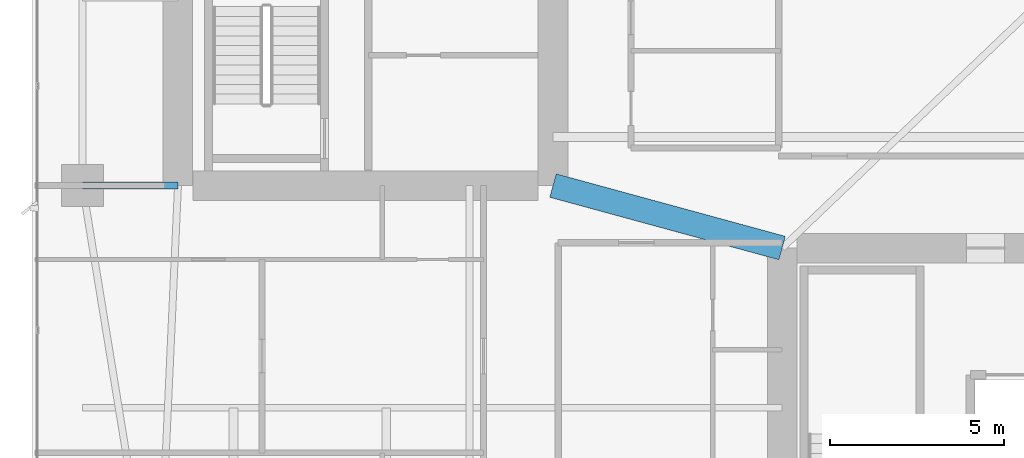
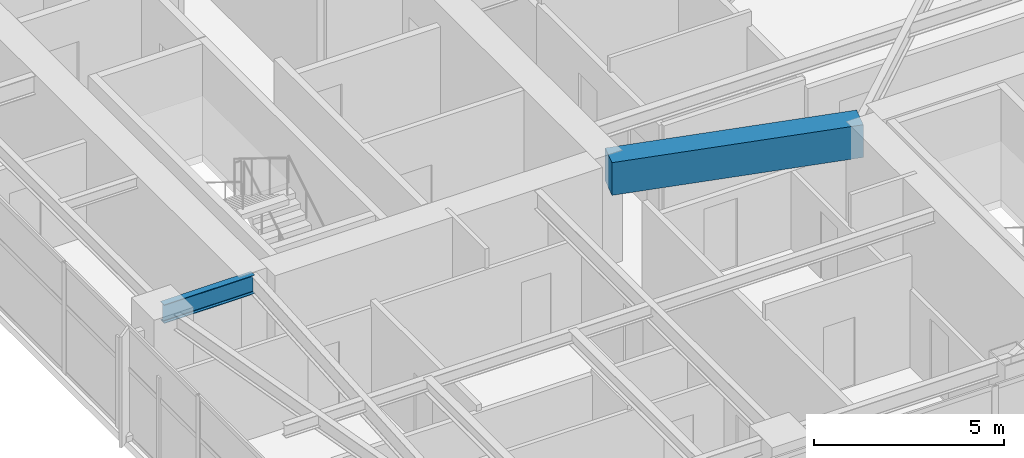
# One storey, part 7 of 28: 2 beams.
"""IFC4 building model written with IfcOpenShell, lengths in metres."""

from ifc_helpers import new_model, si_unit, direction, frame, origin, origin_2d, place, context, subcontext, project, spatial, rectangle, i_section, extrude, material, material_profile, profile_set, type_object, element, save


model = new_model("IFC4")

# Units and contexts
model_context = context("Model", 3, precision=1e-05, world=origin(), true_north=direction((0.0, 1.0)))
body_context = subcontext(model_context, "Body", "Model", "MODEL_VIEW")
ifc_project = project(units=[si_unit("LENGTHUNIT", "METRE"), si_unit("AREAUNIT", "SQUARE_METRE"), si_unit("VOLUMEUNIT", "CUBIC_METRE"), si_unit("PLANEANGLEUNIT", "RADIAN"), si_unit("MASSUNIT", "GRAM", prefix="KILO")], contexts=[model_context])

# Site, building, storey
site_placement = place(None, origin())
site = spatial("IfcSite", under=ifc_project, at=site_placement, CompositionType="ELEMENT")
building_placement = place(site_placement, origin())
building = spatial("IfcBuilding", under=site, at=building_placement, Name="Calvorn Quay Hotel", CompositionType="ELEMENT")
storey_placement = place(building_placement, frame((0.0, 0.0, 152.300048828125)))
storey = spatial("IfcBuildingStorey", under=building, at=storey_placement, Name="L37", CompositionType="ELEMENT", Elevation=152.300048828125)

# Beams
ifc_material_1 = material(Name="Steel Q355B", Category="steel")
ifc_material_profile_1 = material_profile(ifc_material_1, i_section(OverallWidth=0.199951171875, OverallDepth=0.60009765625, WebThickness=0.010986328125, FlangeThickness=0.01708984375, FilletRadius=0.01806640625, at=origin_2d()), Name="HN600x200x11x17")
ifc_profile_set_1 = profile_set([ifc_material_profile_1], Name="Steel Q355B")
beam_type_1 = type_object("IfcBeamType", Name="BM-GIRD-TYP", PredefinedType="BEAM", material=ifc_profile_set_1)
beam_1_placement = place(storey_placement, frame((1.449951171875, 16.800048828125, 3.239990234375), z_axis=(1.0, 0.0, 0.0), x_axis=(0.0, 1.0, 0.0)))
element("IfcBeam", 1, at=beam_1_placement, inside=storey, type_object=beam_type_1, Name="Beam BG-L37-W1", PredefinedType="BEAM", context=body_context, shape_type="SweptSolid", body=[
    extrude(i_section(OverallWidth=0.199951171875, OverallDepth=0.60009765625, WebThickness=0.010986328125, FlangeThickness=0.01708984375, FilletRadius=0.01806640625, at=origin_2d()), origin(), (0.0, 0.0, 1.0), 2.75),
])
ifc_material_2 = material(Name="Concrete C50", Category="concrete")
ifc_material_profile_2 = material_profile(ifc_material_2, rectangle(XDim=0.699951171875, YDim=1.050048828125, at=origin_2d()), Name="RCB700x1050")
ifc_profile_set_2 = profile_set([ifc_material_profile_2], Name="Concrete C50")
beam_type_2 = type_object("IfcBeamType", Name="BM-RC-LINK-700x1050", PredefinedType="BEAM", material=ifc_profile_set_2)
beam_2_placement = place(storey_placement, frame((15.0, 16.800048828125, 3.014892578125), z_axis=(0.964762997686, -0.263120425462, 0.0), x_axis=(0.263120425462, 0.964762997686, 0.0)))
element("IfcBeam", 2, at=beam_2_placement, inside=storey, type_object=beam_type_2, Name="Beam BCL-L37-01", PredefinedType="BEAM", context=body_context, shape_type="SweptSolid", body=[
    extrude(rectangle(XDim=0.699951171875, YDim=1.050048828125, at=origin_2d()), origin(), (0.0, 0.0, 1.0), 6.841064453125),
])

save(model, "model.ifc")
